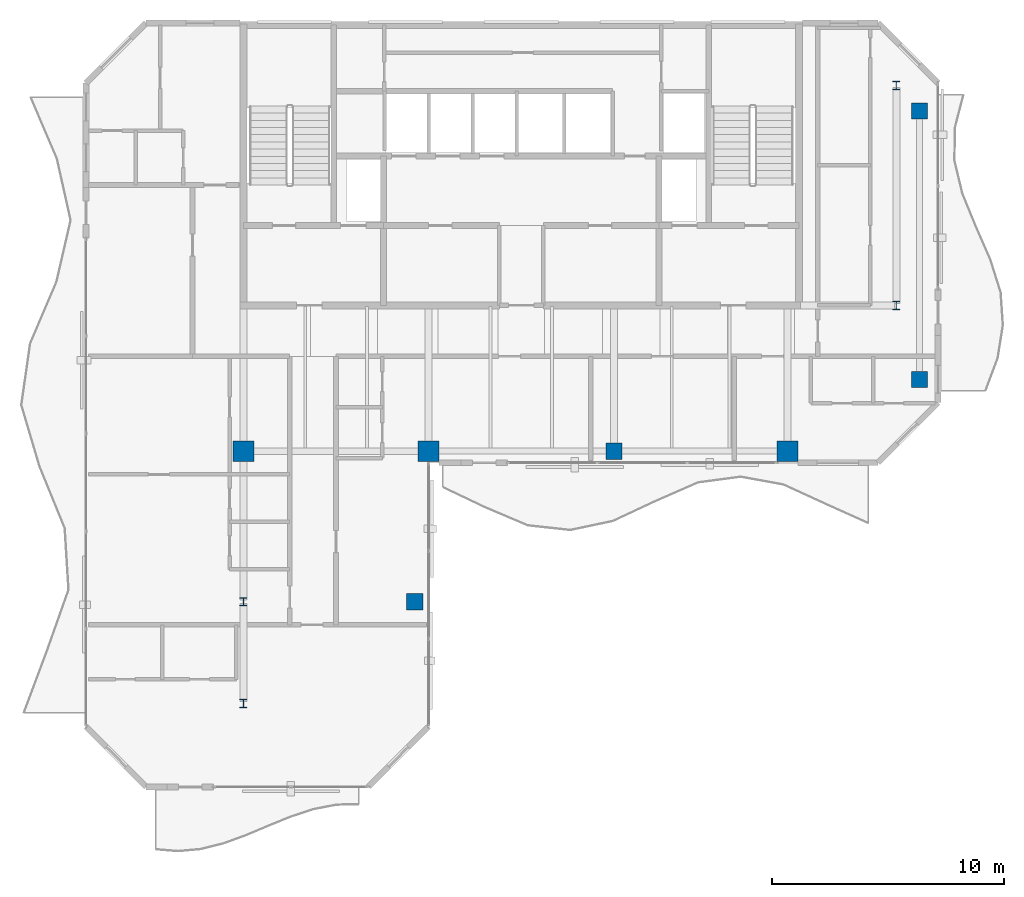
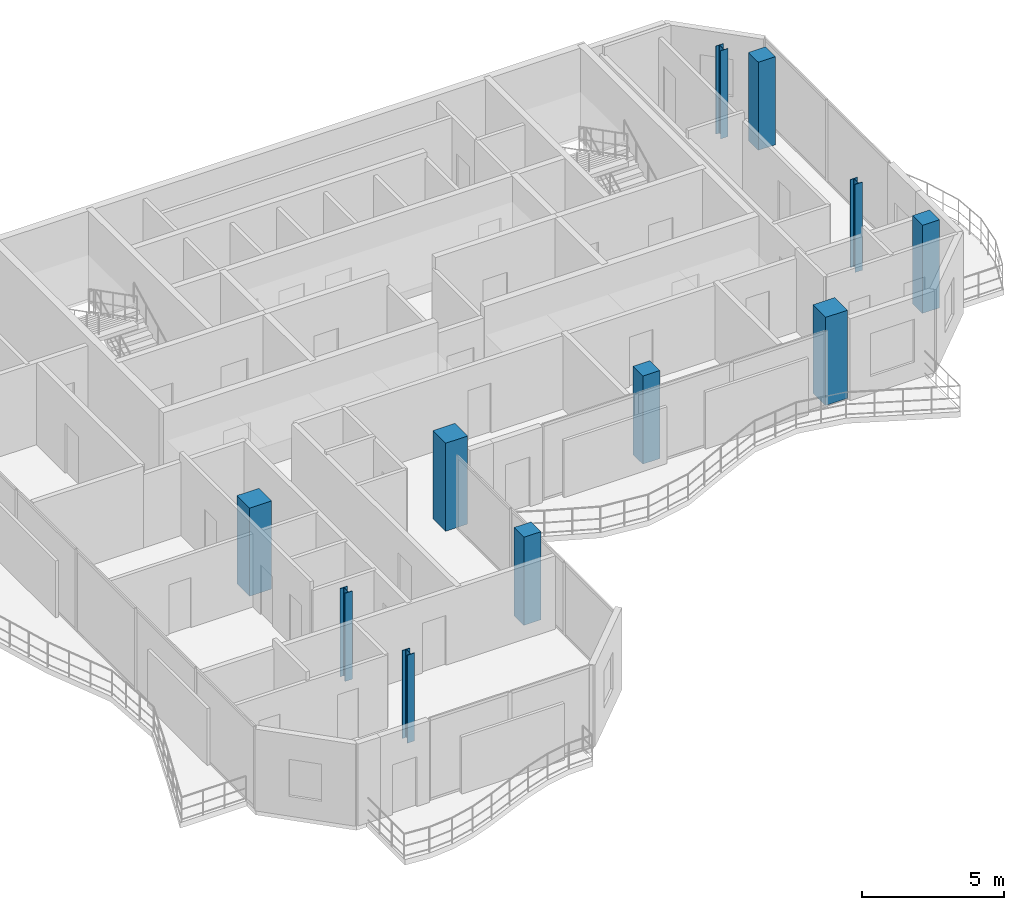
# One storey, part 1 of 17: 11 columns.
"""IFC4 building model written with IfcOpenShell, lengths in metres."""

import ifcopenshell
import ifcopenshell.guid

model = None  # the IFC model being written
_history = None  # IfcOwnerHistory: only IFC2X3 demands one
_inside = {}  # id of a spatial element -> (the spatial element, [elements in it])
_under = {}  # id of a project, library or spatial element -> (it, [spatial elements below it])
_declared = {}  # id of a project -> (the project, [libraries it declares])
_typed = {}  # id of a type object -> (the type object, [elements of that type])
_made_of = {}  # id of a material, layer set ... -> (it, [elements and type objects made of it])


def new_model(schema):
    """Start an empty IFC model of exactly this schema.

    Asked for "IFC4X3", IfcOpenShell would pick the latest addendum, in which some entities
    have other attributes; the version numbers below select the first issue.
    IFC2X3 requires an IfcOwnerHistory on every rooted entity: one is made here for all.
    """
    global model, _history
    if schema == "IFC4X3":
        model = ifcopenshell.file(schema_version=(4, 3, 0, 0))
    else:
        model = ifcopenshell.file(schema=schema)
    _inside.clear()
    _under.clear()
    _declared.clear()
    _typed.clear()
    _made_of.clear()
    _history = None
    if model.schema == "IFC2X3":
        org = make("IfcOrganization", Name="unknown")
        user = make(
            "IfcPersonAndOrganization",
            ThePerson=make("IfcPerson", FamilyName="unknown"),
            TheOrganization=org,
        )
        app = make(
            "IfcApplication",
            ApplicationDeveloper=org,
            Version="unknown",
            ApplicationFullName="unknown",
            ApplicationIdentifier="unknown",
        )
        _history = make(
            "IfcOwnerHistory",
            OwningUser=user,
            OwningApplication=app,
            ChangeAction="ADDED",
            CreationDate=0,
        )
    return model


def make(cls, **values):
    """One entity of the class cls with the attributes given. An attribute that is None is left unset."""
    return model.create_entity(
        cls, **{name: value for name, value in values.items() if value is not None}
    )


def rooted(cls, **values):
    """An entity with a GlobalId (a new one), such as an element, a storey or a relation."""
    return make(cls, GlobalId=ifcopenshell.guid.new(), OwnerHistory=_history, **values)


def si_unit(unit_type, name, prefix=None):
    """IfcSIUnit, for example si_unit("LENGTHUNIT", "METRE", prefix="MILLI")."""
    return make("IfcSIUnit", UnitType=unit_type, Prefix=prefix, Name=name)


def assignment(units):
    """IfcUnitAssignment: the units of a project."""
    return None if units is None else make("IfcUnitAssignment", Units=units)


def point(xyz):
    """IfcCartesianPoint."""
    return None if xyz is None else make("IfcCartesianPoint", Coordinates=xyz)


def direction(xyz):
    """IfcDirection."""
    return None if xyz is None else make("IfcDirection", DirectionRatios=xyz)


def frame(location, z_axis=None, x_axis=None):
    """IfcAxis2Placement3D, a coordinate frame: its origin and axes. An axis left out is left unset."""
    return make(
        "IfcAxis2Placement3D",
        Location=point(location),
        Axis=direction(z_axis),
        RefDirection=direction(x_axis),
    )


def frame_2d(location, x_axis=None):
    """IfcAxis2Placement2D, a coordinate frame in the plane: its origin and x axis."""
    return make(
        "IfcAxis2Placement2D", Location=point(location), RefDirection=direction(x_axis)
    )


def origin():
    """The frame at (0, 0, 0) with its axes left unset."""
    return frame((0.0, 0.0, 0.0))


def origin_2d():
    """The frame at (0, 0) in the plane with its x axis left unset."""
    return frame_2d((0.0, 0.0))


def place(relative_to, where):
    """IfcLocalPlacement: puts the frame where relative to a parent placement (None: the world)."""
    return make(
        "IfcLocalPlacement", PlacementRelTo=relative_to, RelativePlacement=where
    )


def context(
    kind, dimensions, precision=None, world=None, true_north=None, identifier=None
):
    """IfcGeometricRepresentationContext, for example the 3D "Model" context."""
    return make(
        "IfcGeometricRepresentationContext",
        ContextIdentifier=identifier,
        ContextType=kind,
        CoordinateSpaceDimension=dimensions,
        Precision=precision,
        WorldCoordinateSystem=world,
        TrueNorth=true_north,
    )


def subcontext(parent, identifier, kind, view, scale=None):
    """IfcGeometricRepresentationSubContext, for example "Body" below "Model"."""
    return make(
        "IfcGeometricRepresentationSubContext",
        ContextIdentifier=identifier,
        ContextType=kind,
        ParentContext=parent,
        TargetScale=scale,
        TargetView=view,
    )


def project(units=None, contexts=None):
    """IfcProject with its units and contexts."""
    return rooted(
        "IfcProject",
        Name="project",
        RepresentationContexts=contexts,
        UnitsInContext=assignment(units),
    )


def spatial(cls, under=None, at=None, **own):
    """A site, building, storey or space (cls), placed at a placement, below another one or the project."""
    s = rooted(cls, ObjectPlacement=at, **own)
    if under is not None:
        _under.setdefault(under.id(), (under, []))[1].append(s)
    return s


def profile(cls, at=None, kind="AREA", **sizes):
    """A parametric profile (cls). Its sizes go by their IFC names, for example OverallWidth=200.0."""
    return make(cls, ProfileType=kind, Position=at, **sizes)


def rectangle(**sizes):
    """IfcRectangleProfileDef."""
    return profile("IfcRectangleProfileDef", **sizes)


def i_section(**sizes):
    """IfcIShapeProfileDef."""
    return profile("IfcIShapeProfileDef", **sizes)


def extrude(swept, where, along, depth):
    """IfcExtrudedAreaSolid: the profile swept, set in the frame where, extruded along a direction by depth."""
    return make(
        "IfcExtrudedAreaSolid",
        SweptArea=swept,
        Position=where,
        ExtrudedDirection=direction(along),
        Depth=depth,
    )


def shape(context_of_items, identifier, shape_type, items):
    """IfcShapeRepresentation: the items that make up one representation, for example the "Body"."""
    return make(
        "IfcShapeRepresentation",
        ContextOfItems=context_of_items,
        RepresentationIdentifier=identifier,
        RepresentationType=shape_type,
        Items=items,
    )


def material(Name=None, Category=None):
    """IfcMaterial."""
    return make("IfcMaterial", Name=Name, Category=Category)


def material_profile(
    of_material, cross_section, Name=None, Category=None, Priority=None
):
    """IfcMaterialProfile: a cross section and its material."""
    return make(
        "IfcMaterialProfile",
        Name=Name,
        Material=of_material,
        Profile=cross_section,
        Priority=Priority,
        Category=Category,
    )


def profile_set(profiles, Name=None, composite=None):
    """IfcMaterialProfileSet."""
    return make(
        "IfcMaterialProfileSet",
        Name=Name,
        MaterialProfiles=profiles,
        CompositeProfile=composite,
    )


def made_of(thing, what):
    """Note that an element or type object is made of a material, layer set ...; save() writes the relation."""
    if what is not None:
        _made_of.setdefault(what.id(), (what, []))[1].append(thing)
    return thing


def type_object(cls, material=None, **own):
    """A type object (cls), such as IfcWallType, which elements share."""
    return made_of(rooted(cls, **own), material)


def element(
    cls,
    number,
    at=None,
    inside=None,
    cuts=None,
    type_object=None,
    material=None,
    context=None,
    identifier="Body",
    shape_type=None,
    held_by="IfcProductDefinitionShape",
    body=None,
    shapes=None,
    **own,
):
    """One element of the class cls, such as IfcWall. Its Tag is "e" and its number.

    at: its placement. inside: the storey or other place that contains it. cuts: it is an
    opening in that element (IfcRelVoidsElement). A single representation is given by context,
    identifier, shape_type and body (its items); several are given by shapes. held_by: the class
    of the entity that holds the representations. save() writes the other relations.
    """
    e = rooted(cls, Tag="e%d" % number, ObjectPlacement=at, **own)
    if body is not None:
        shapes = [shape(context, identifier, shape_type, body)]
    if shapes is not None:
        e.Representation = make(held_by, Representations=shapes)
    if inside is not None:
        _inside.setdefault(inside.id(), (inside, []))[1].append(e)
    if cuts is not None:
        rooted(
            "IfcRelVoidsElement", RelatingBuildingElement=cuts, RelatedOpeningElement=e
        )
    if type_object is not None:
        _typed.setdefault(type_object.id(), (type_object, []))[1].append(e)
    return made_of(e, material)


def aggregate(whole, parts):
    """IfcRelAggregates: a whole, such as a stair, and the parts it consists of."""
    return rooted("IfcRelAggregates", RelatingObject=whole, RelatedObjects=parts)


def save(model, path):
    """Write the relations noted so far, then the file.

    IfcRelAggregates (storeys below a building ...), IfcRelContainedInSpatialStructure (elements
    in a storey), IfcRelDefinesByType, IfcRelAssociatesMaterial and IfcRelDeclares: one each for
    every whole, place, type object, material and project.
    """
    for whole, parts in _under.values():
        aggregate(whole, parts)
    for where, things in _inside.values():
        rooted(
            "IfcRelContainedInSpatialStructure",
            RelatedElements=things,
            RelatingStructure=where,
        )
    for kind, things in _typed.values():
        rooted("IfcRelDefinesByType", RelatedObjects=things, RelatingType=kind)
    for what, things in _made_of.values():
        rooted("IfcRelAssociatesMaterial", RelatedObjects=things, RelatingMaterial=what)
    for by, libraries in _declared.values():
        rooted("IfcRelDeclares", RelatingContext=by, RelatedDefinitions=libraries)
    model.write(path)


model = new_model("IFC4")

# Units and contexts
model_context = context("Model", 3, precision=1e-05, world=origin(), true_north=direction((0.0, 1.0)))
body_context = subcontext(model_context, "Body", "Model", "MODEL_VIEW")
ifc_project = project(units=[si_unit("LENGTHUNIT", "METRE"), si_unit("AREAUNIT", "SQUARE_METRE"), si_unit("VOLUMEUNIT", "CUBIC_METRE"), si_unit("PLANEANGLEUNIT", "RADIAN"), si_unit("MASSUNIT", "GRAM", prefix="KILO")], contexts=[model_context])

# Site, building, storey
site_placement = place(None, origin())
site = spatial("IfcSite", under=ifc_project, at=site_placement, CompositionType="ELEMENT")
building_placement = place(site_placement, origin())
building = spatial("IfcBuilding", under=site, at=building_placement, Name="Catumbela Crestline Tower", CompositionType="ELEMENT")
storey_placement = place(building_placement, frame((0.0, 0.0, 271.6)))
storey = spatial("IfcBuildingStorey", under=building, at=storey_placement, Name="L70", CompositionType="ELEMENT", Elevation=271.6)

# Columns
ifc_material_1 = material(Name="Concrete C45/55", Category="concrete")
ifc_material_profile_1 = material_profile(ifc_material_1, rectangle(XDim=0.7, YDim=0.7, at=origin_2d()), Name="RC 700x700")
ifc_profile_set_1 = profile_set([ifc_material_profile_1], Name="Concrete C45/55")
column_type_1 = type_object("IfcColumnType", Name="C-RC700-C45", PredefinedType="COLUMN", material=ifc_profile_set_1)
for number, where, z_axis, x_axis, name in (
    (1, (32.0, 24.5, 0.0), (0.0, 0.0, 1.0), (1.0, 0.0, 0.0), "L70 Column C-32-24 (RC 700x700)"),
    (2, (45.2, 27.6, 0.0), (0.0, 0.0, 1.0), (1.0, 0.0, 0.0), "L70 Column C-46-24 (RC 700x700)"),
    (3, (45.2, 39.2, 0.0), (0.0, 0.0, 1.0), (1.0, 0.0, 0.0), "L70 Column C-46-43 (RC 700x700)"),
    (4, (23.4, 18.0, 0.0), (0.0, 0.0, 1.0), (1.0, 0.0, 0.0), "L70 Column C-24-16 (RC 700x700)"),
):
    element("IfcColumn", number, at=place(storey_placement, frame(where, z_axis=z_axis, x_axis=x_axis)), inside=storey, type_object=column_type_1, Name=name, PredefinedType="COLUMN", context=body_context, shape_type="SweptSolid", body=[
        extrude(rectangle(XDim=0.7, YDim=0.7, at=origin_2d()), origin(), (0.0, 0.0, 1.0), 3.8),
    ])
ifc_material_profile_2 = material_profile(ifc_material_1, rectangle(XDim=0.9, YDim=0.9, at=origin_2d()), Name="RC 900x900")
ifc_profile_set_2 = profile_set([ifc_material_profile_2], Name="Concrete C45/55")
column_type_2 = type_object("IfcColumnType", Name="C-RC900-C45", PredefinedType="COLUMN", material=ifc_profile_set_2)
for number, where, z_axis, x_axis, name in (
    (5, (16.0, 24.5, 0.0), (0.0, 0.0, 1.0), (1.0, 0.0, 0.0), "L70 Column C-16-24 (RC 900x900)"),
    (6, (24.0, 24.5, 0.0), (0.0, 0.0, 1.0), (1.0, 0.0, 0.0), "L70 Column C-24-24 (RC 900x900)"),
    (7, (39.5, 24.5, 0.0), (0.0, 0.0, 1.0), (1.0, 0.0, 0.0), "L70 Column C-40-24 (RC 900x900)"),
):
    element("IfcColumn", number, at=place(storey_placement, frame(where, z_axis=z_axis, x_axis=x_axis)), inside=storey, type_object=column_type_2, Name=name, PredefinedType="COLUMN", context=body_context, shape_type="SweptSolid", body=[
        extrude(rectangle(XDim=0.9, YDim=0.9, at=origin_2d()), origin(), (0.0, 0.0, 1.0), 3.8),
    ])
ifc_material_2 = material(Name="Structural steel S355J2", Category="steel")
ifc_material_profile_3 = material_profile(ifc_material_2, i_section(OverallWidth=0.3, OverallDepth=0.36, WebThickness=0.0125, FlangeThickness=0.0225, FilletRadius=0.027, at=origin_2d()), Name="HEB 360")
ifc_profile_set_3 = profile_set([ifc_material_profile_3], Name="Structural steel S355J2")
column_type_3 = type_object("IfcColumnType", Name="C-ST-HEB360", PredefinedType="COLUMN", material=ifc_profile_set_3)
for number, where, z_axis, x_axis, name in (
    (8, (16.0, 13.6, 0.0), (0.0, 0.0, 1.0), (1.0, 0.0, 0.0), "L70 Column CT-14-10 (HEB 360)"),
    (9, (16.0, 18.0, 0.0), (0.0, 0.0, 1.0), (1.0, 0.0, 0.0), "L70 Column CT-14-16 (HEB 360)"),
    (10, (44.2, 30.8, 0.0), (0.0, 0.0, 1.0), (1.0, 0.0, 0.0), "L70 Column CT-46-31 (HEB 360)"),
    (11, (44.2, 40.3, 0.0), (0.0, 0.0, 1.0), (1.0, 0.0, 0.0), "L70 Column CT-46-37 (HEB 360)"),
):
    element("IfcColumn", number, at=place(storey_placement, frame(where, z_axis=z_axis, x_axis=x_axis)), inside=storey, type_object=column_type_3, Name=name, PredefinedType="COLUMN", context=body_context, shape_type="SweptSolid", body=[
        extrude(i_section(OverallWidth=0.3, OverallDepth=0.36, WebThickness=0.0125, FlangeThickness=0.0225, FilletRadius=0.027, at=origin_2d()), origin(), (0.0, 0.0, 1.0), 3.8),
    ])

save(model, "model.ifc")
